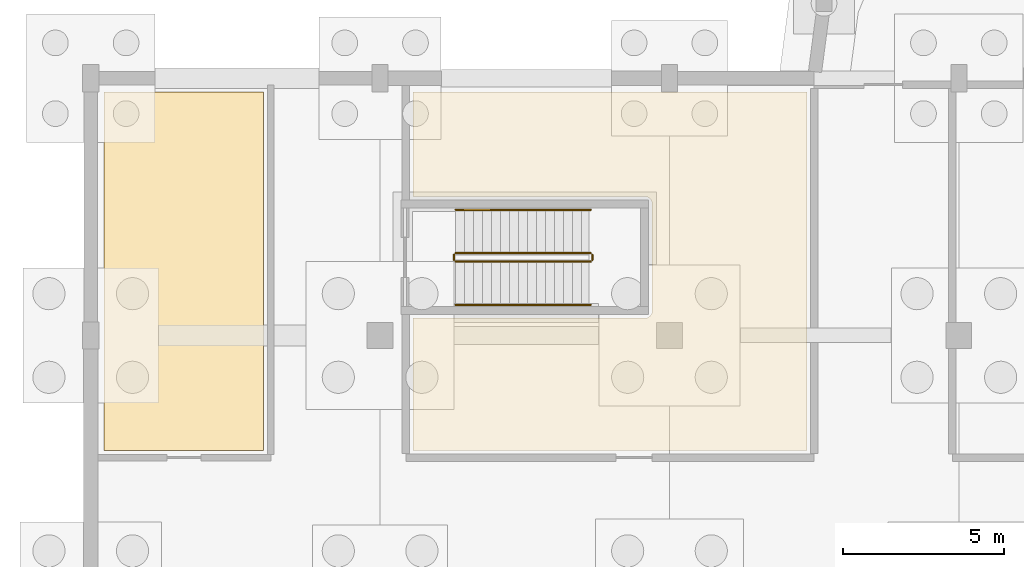
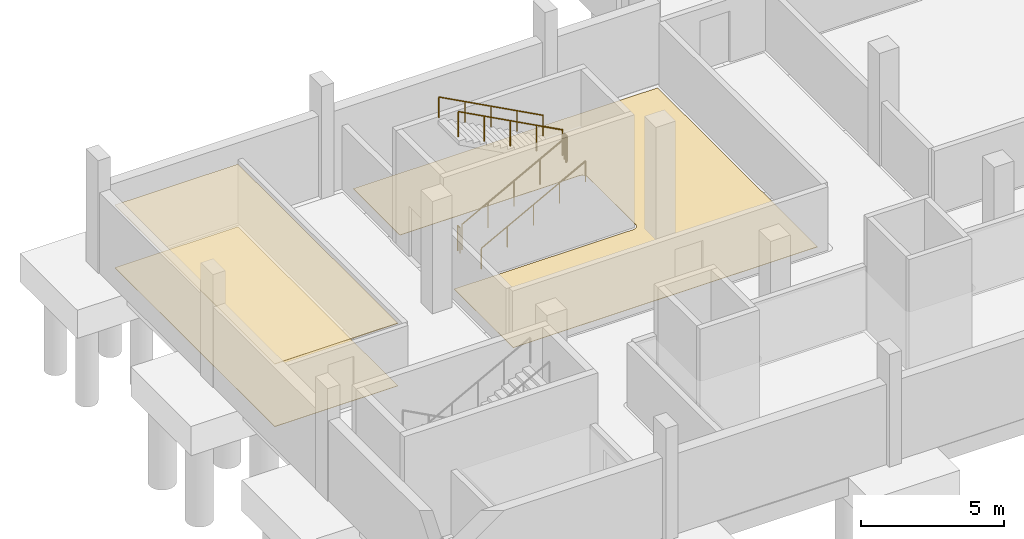
# One storey, part 7 of 10: 6 railings, 3 coverings.
"""IFC4 building model written with IfcOpenShell, lengths in metres."""

from ifc_helpers import new_model, si_unit, direction, frame, origin, origin_2d, place, context, subcontext, project, spatial, polyline, circle, outline, extrude, material, layer, layer_set, type_object, element, save


model = new_model("IFC4")

# Units and contexts
model_context = context("Model", 3, precision=1e-05, world=origin(), true_north=direction((0.0, 1.0)))
body_context = subcontext(model_context, "Body", "Model", "MODEL_VIEW")
ifc_project = project(units=[si_unit("LENGTHUNIT", "METRE"), si_unit("AREAUNIT", "SQUARE_METRE"), si_unit("VOLUMEUNIT", "CUBIC_METRE"), si_unit("PLANEANGLEUNIT", "RADIAN"), si_unit("MASSUNIT", "GRAM", prefix="KILO")], contexts=[model_context])

# Site, building, storey
site_placement = place(None, origin())
site = spatial("IfcSite", under=ifc_project, at=site_placement, CompositionType="ELEMENT")
building_placement = place(site_placement, origin())
building = spatial("IfcBuilding", under=site, at=building_placement, Name="Serraforn Aerial Cableway Station", CompositionType="ELEMENT")
storey_placement = place(building_placement, frame((0.0, 0.0, -4.800048828125)))
storey = spatial("IfcBuildingStorey", under=building, at=storey_placement, Name="B1", CompositionType="ELEMENT", Elevation=-4.800048828125)

# Coverings
ifc_material_1 = material(Name="Perforated acoustic mineral ceiling")
ifc_layer_1 = layer(ifc_material_1, 0.02490234375)
ifc_layer_set_1 = layer_set([ifc_layer_1], Name="Perforated acoustic mineral ceiling")
covering_type_1 = type_object("IfcCoveringType", Name="COV-CLG-AC", PredefinedType="CEILING", material=ifc_layer_set_1)
covering_1_placement = place(storey_placement, frame((0.0, 0.0, 2.66015625)))
element("IfcCovering", 1, at=covering_1_placement, inside=storey, type_object=covering_type_1, Name="Suspended Ceiling B1-05", PredefinedType="CEILING", context=body_context, shape_type="SweptSolid", body=[
    extrude(outline(polyline([(28.02001953125, 30.419921875), (28.02001953125, 41.580078125), (32.97998046875, 41.580078125), (32.97998046875, 30.419921875), (28.02001953125, 30.419921875)])), origin(), (0.0, 0.0, 1.0), 0.02490234375),
])
ifc_material_2 = material(Name="Heavy-duty non-slip quartz epoxy floor")
ifc_layer_2 = layer(ifc_material_2, 0.014892578125)
ifc_layer_set_2 = layer_set([ifc_layer_2], Name="Heavy-duty non-slip quartz epoxy floor")
covering_type_2 = type_object("IfcCoveringType", Name="COV-FLR-EPOX", PredefinedType="FLOORING", material=ifc_layer_set_2)
covering_2_placement = place(storey_placement, origin())
element("IfcCovering", 2, at=covering_2_placement, inside=storey, type_object=covering_type_2, Name="Flooring B1-05", PredefinedType="FLOORING", context=body_context, shape_type="SweptSolid", body=[
    extrude(outline(polyline([(28.02001953125, 30.419921875), (28.02001953125, 41.580078125), (32.97998046875, 41.580078125), (32.97998046875, 30.419921875), (28.02001953125, 30.419921875)])), origin(), (0.0, 0.0, 1.0), 0.01513671875),
])
covering_3_placement = place(storey_placement, origin())
element("IfcCovering", 3, at=covering_3_placement, inside=storey, type_object=covering_type_2, Name="Flooring B1-01", PredefinedType="FLOORING", context=body_context, shape_type="SweptSolid", body=[
    extrude(outline(polyline([(37.6201171875, 41.580078125), (49.8798828125, 41.580078125), (49.8798828125, 30.419921875), (37.6201171875, 30.419921875), (37.6201171875, 34.5400390625), (44.840087890625, 34.5400390625), (44.861572265625, 34.541015625), (44.8828125, 34.544189453125), (44.90380859375, 34.549560546875), (44.92431640625, 34.556640625), (44.943603515625, 34.56591796875), (44.962158203125, 34.5771484375), (44.9794921875, 34.58984375), (44.99560546875, 34.6044921875), (45.010009765625, 34.620361328125), (45.02294921875, 34.6376953125), (45.033935546875, 34.65625), (45.043212890625, 34.67578125), (45.050537109375, 34.696044921875), (45.055908203125, 34.717041015625), (45.058837890625, 34.73828125), (45.06005859375, 34.760009765625), (45.06005859375, 38.10009765625), (45.058837890625, 38.12158203125), (45.055908203125, 38.142822265625), (45.050537109375, 38.163818359375), (45.043212890625, 38.18408203125), (45.033935546875, 38.20361328125), (45.02294921875, 38.22216796875), (45.010009765625, 38.239501953125), (44.99560546875, 38.255615234375), (44.9794921875, 38.27001953125), (44.962158203125, 38.282958984375), (44.943603515625, 38.2939453125), (44.92431640625, 38.30322265625), (44.90380859375, 38.310546875), (44.8828125, 38.31591796875), (44.861572265625, 38.31884765625), (44.840087890625, 38.320068359375), (37.6201171875, 38.320068359375), (37.6201171875, 41.580078125)])), origin(), (0.0, 0.0, 1.0), 0.01513671875),
])

# Railings
ifc_material_3 = material(Name="Patinated bronze stair guardrail")
ifc_layer_3 = layer(ifc_material_3, 0.050048828125)
ifc_layer_set_3 = layer_set([ifc_layer_3], Name="Patinated bronze stair guardrail")
railing_type_1 = type_object("IfcRailingType", Name="RL-STR-GRD", PredefinedType="GUARDRAIL", material=ifc_layer_set_3)
railing_1_placement = place(storey_placement, frame((38.949951171875, 36.300048828125, 0.150146484375)))
element("IfcRailing", 4, at=railing_1_placement, inside=storey, type_object=railing_type_1, Name="B1 ST-04 stair guard 1", PredefinedType="GUARDRAIL", context=body_context, shape_type="SweptSolid", body=[
    extrude(circle(Radius=0.02392578125, at=origin_2d()), frame((0.0, 0.0, 1.076171875), z_axis=(0.881477684796, 0.0, 0.472225678258), x_axis=(0.0, 1.0, 0.0)), (0.0, 0.0, 1.0), 4.7646484375),
    extrude(circle(Radius=0.02099609375, at=origin_2d()), origin(), (0.0, 0.0, 1.0), 1.052001953125),
    extrude(circle(Radius=0.02099609375, at=origin_2d()), frame((1.050048828125, 0.0, 0.5625)), (0.0, 0.0, 1.0), 1.052001953125),
    extrude(circle(Radius=0.02099609375, at=origin_2d()), frame((2.10009765625, 0.0, 1.125)), (0.0, 0.0, 1.0), 1.052001953125),
    extrude(circle(Radius=0.02099609375, at=origin_2d()), frame((3.14990234375, 0.0, 1.6875)), (0.0, 0.0, 1.0), 1.052001953125),
    extrude(circle(Radius=0.02099609375, at=origin_2d()), frame((4.199951171875, 0.0, 2.25)), (0.0, 0.0, 1.0), 1.052001953125),
])
railing_2_placement = place(storey_placement, frame((43.199951171875, 36.35009765625, 2.400146484375)))
element("IfcRailing", 5, at=railing_2_placement, inside=storey, type_object=railing_type_1, Name="B1 ST-04 stair guard 2", PredefinedType="GUARDRAIL", context=body_context, shape_type="SweptSolid", body=[
    extrude(circle(Radius=0.02392578125, at=origin_2d()), frame((0.0, 0.0, 1.076171875), z_axis=(0.0, 1.0, 0.0), x_axis=(-1.0, 0.0, 0.0)), (0.0, 0.0, 1.0), 0.159912109375),
    extrude(circle(Radius=0.02099609375, at=origin_2d()), origin(), (0.0, 0.0, 1.0), 1.052001953125),
    extrude(circle(Radius=0.02099609375, at=origin_2d()), frame((0.0, 0.159912109375, 0.0)), (0.0, 0.0, 1.0), 1.052001953125),
])
railing_3_placement = place(storey_placement, frame((43.14990234375, 36.56005859375, 2.550048828125)))
element("IfcRailing", 6, at=railing_3_placement, inside=storey, type_object=railing_type_1, Name="B1 ST-04 stair guard 3", PredefinedType="GUARDRAIL", context=body_context, shape_type="SweptSolid", body=[
    extrude(circle(Radius=0.02392578125, at=origin_2d()), frame((0.0, 0.0, 1.076171875), z_axis=(-0.881477684796, 0.0, 0.472225678258), x_axis=(0.0, -1.0, 0.0)), (0.0, 0.0, 1.0), 4.7646484375),
    extrude(circle(Radius=0.02099609375, at=origin_2d()), origin(), (0.0, 0.0, 1.0), 1.052001953125),
    extrude(circle(Radius=0.02099609375, at=origin_2d()), frame((-1.050048828125, 0.0, 0.5625)), (0.0, 0.0, 1.0), 1.052001953125),
    extrude(circle(Radius=0.02099609375, at=origin_2d()), frame((-2.10009765625, 0.0, 1.125)), (0.0, 0.0, 1.0), 1.052001953125),
    extrude(circle(Radius=0.02099609375, at=origin_2d()), frame((-3.14990234375, 0.0, 1.6875)), (0.0, 0.0, 1.0), 1.052001953125),
    extrude(circle(Radius=0.02099609375, at=origin_2d()), frame((-4.199951171875, 0.0, 2.25)), (0.0, 0.0, 1.0), 1.052001953125),
])
railing_4_placement = place(storey_placement, frame((38.89990234375, 36.35009765625, 0.0)))
element("IfcRailing", 7, at=railing_4_placement, inside=storey, type_object=railing_type_1, Name="B1 ST-04 stair guard 4", PredefinedType="GUARDRAIL", context=body_context, shape_type="SweptSolid", body=[
    extrude(circle(Radius=0.02392578125, at=origin_2d()), frame((0.0, 0.0, 1.076171875), z_axis=(0.0, 1.0, 0.0), x_axis=(-1.0, 0.0, 0.0)), (0.0, 0.0, 1.0), 0.159912109375),
    extrude(circle(Radius=0.02099609375, at=origin_2d()), origin(), (0.0, 0.0, 1.0), 1.052001953125),
    extrude(circle(Radius=0.02099609375, at=origin_2d()), frame((0.0, 0.159912109375, 0.0)), (0.0, 0.0, 1.0), 1.052001953125),
])
ifc_material_4 = material(Name="Brushed bronze tubular handrail")
ifc_layer_4 = layer(ifc_material_4, 0.048095703125)
ifc_layer_set_4 = layer_set([ifc_layer_4], Name="Brushed bronze tubular handrail")
railing_type_2 = type_object("IfcRailingType", Name="RL-STR-HDR", PredefinedType="HANDRAIL", material=ifc_layer_set_4)
railing_5_placement = place(storey_placement, frame((38.949951171875, 34.949951171875, 0.150146484375)))
element("IfcRailing", 8, at=railing_5_placement, inside=storey, type_object=railing_type_2, Name="B1 ST-04 stair handrail 1", PredefinedType="HANDRAIL", context=body_context, shape_type="SweptSolid", body=[
    extrude(circle(Radius=0.02392578125, at=origin_2d()), frame((0.0, 0.0, 0.8759765625), z_axis=(0.881477684796, 0.0, 0.472225678258), x_axis=(0.0, 1.0, 0.0)), (0.0, 0.0, 1.0), 4.7646484375),
    extrude(circle(Radius=0.02099609375, at=origin_2d()), origin(), (0.0, 0.0, 1.0), 0.851806640625),
    extrude(circle(Radius=0.02099609375, at=origin_2d()), frame((1.050048828125, 0.0, 0.5625)), (0.0, 0.0, 1.0), 0.851806640625),
    extrude(circle(Radius=0.02099609375, at=origin_2d()), frame((2.10009765625, 0.0, 1.125)), (0.0, 0.0, 1.0), 0.851806640625),
    extrude(circle(Radius=0.02099609375, at=origin_2d()), frame((3.14990234375, 0.0, 1.6875)), (0.0, 0.0, 1.0), 0.851806640625),
    extrude(circle(Radius=0.02099609375, at=origin_2d()), frame((4.199951171875, 0.0, 2.25)), (0.0, 0.0, 1.0), 0.851806640625),
])
railing_6_placement = place(storey_placement, frame((43.14990234375, 37.909912109375, 2.550048828125)))
element("IfcRailing", 9, at=railing_6_placement, inside=storey, type_object=railing_type_2, Name="B1 ST-04 stair handrail 2", PredefinedType="HANDRAIL", context=body_context, shape_type="SweptSolid", body=[
    extrude(circle(Radius=0.02392578125, at=origin_2d()), frame((0.0, 0.0, 0.8759765625), z_axis=(-0.881477684796, 0.0, 0.472225678258), x_axis=(0.0, -1.0, 0.0)), (0.0, 0.0, 1.0), 4.7646484375),
    extrude(circle(Radius=0.02099609375, at=origin_2d()), origin(), (0.0, 0.0, 1.0), 0.851806640625),
    extrude(circle(Radius=0.02099609375, at=origin_2d()), frame((-1.050048828125, 0.0, 0.5625)), (0.0, 0.0, 1.0), 0.851806640625),
    extrude(circle(Radius=0.02099609375, at=origin_2d()), frame((-2.10009765625, 0.0, 1.125)), (0.0, 0.0, 1.0), 0.851806640625),
    extrude(circle(Radius=0.02099609375, at=origin_2d()), frame((-3.14990234375, 0.0, 1.6875)), (0.0, 0.0, 1.0), 0.851806640625),
    extrude(circle(Radius=0.02099609375, at=origin_2d()), frame((-4.199951171875, 0.0, 2.25)), (0.0, 0.0, 1.0), 0.851806640625),
])

save(model, "model.ifc")
